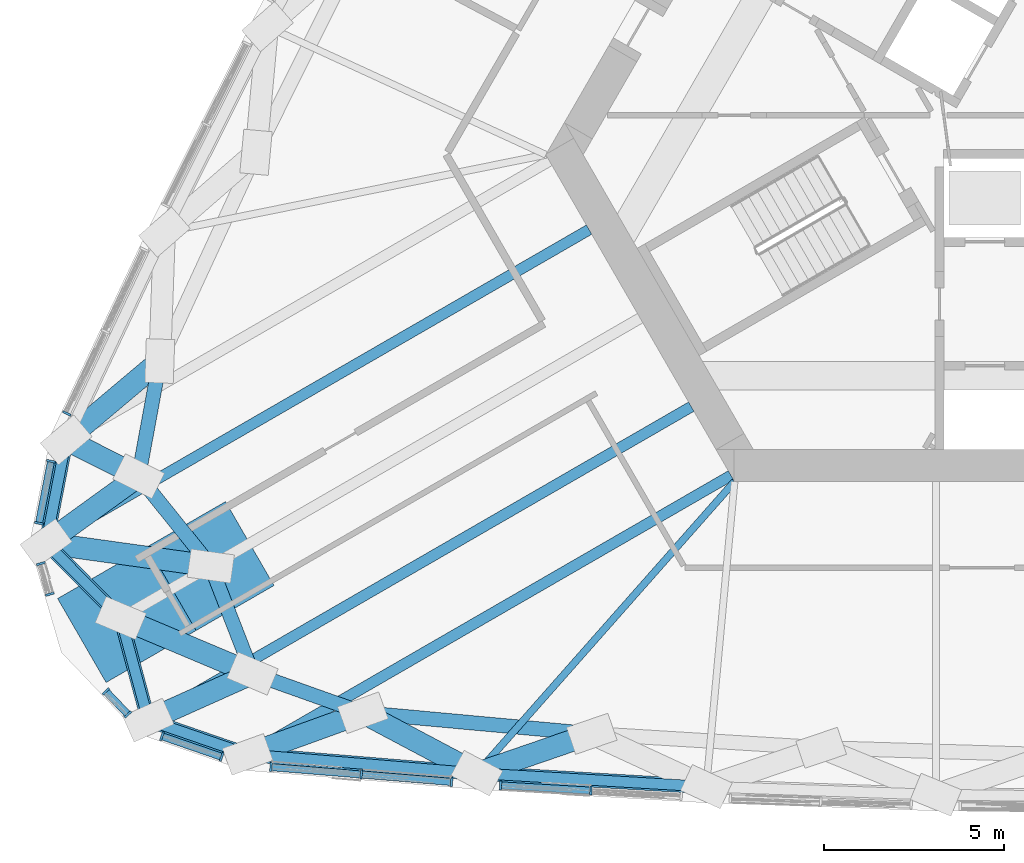
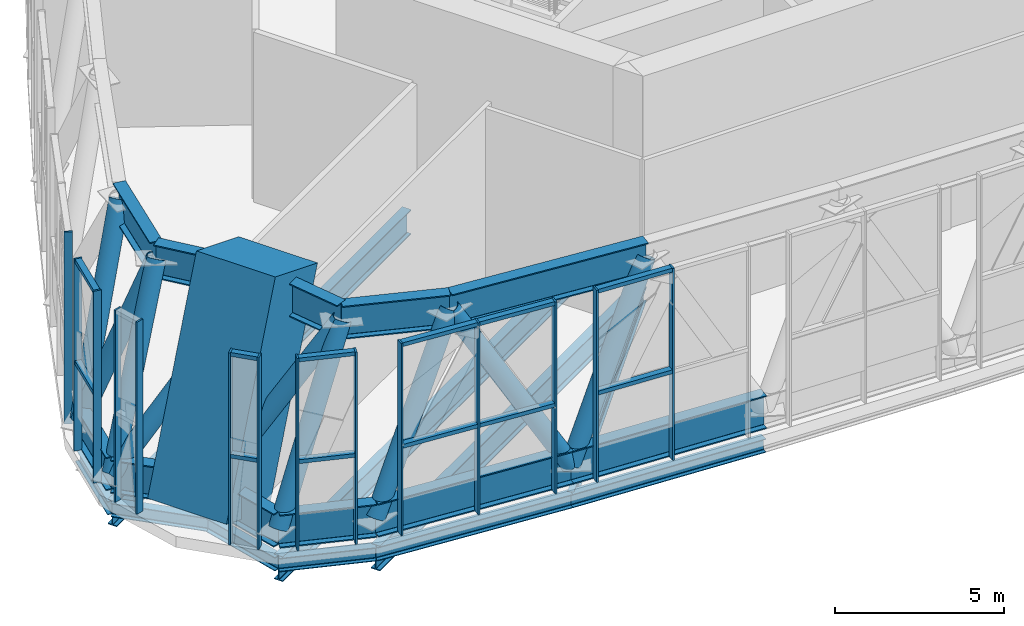
# One storey, part 1 of 33: 47 members, 10 beams, 3 elements without a shape of their own.
"""IFC4 building model written with IfcOpenShell, lengths in metres."""

import ifcopenshell
import ifcopenshell.guid

model = None  # the IFC model being written
_history = None  # IfcOwnerHistory: only IFC2X3 demands one
_inside = {}  # id of a spatial element -> (the spatial element, [elements in it])
_under = {}  # id of a project, library or spatial element -> (it, [spatial elements below it])
_declared = {}  # id of a project -> (the project, [libraries it declares])
_typed = {}  # id of a type object -> (the type object, [elements of that type])
_made_of = {}  # id of a material, layer set ... -> (it, [elements and type objects made of it])


def new_model(schema):
    """Start an empty IFC model of exactly this schema.

    Asked for "IFC4X3", IfcOpenShell would pick the latest addendum, in which some entities
    have other attributes; the version numbers below select the first issue.
    IFC2X3 requires an IfcOwnerHistory on every rooted entity: one is made here for all.
    """
    global model, _history
    if schema == "IFC4X3":
        model = ifcopenshell.file(schema_version=(4, 3, 0, 0))
    else:
        model = ifcopenshell.file(schema=schema)
    _inside.clear()
    _under.clear()
    _declared.clear()
    _typed.clear()
    _made_of.clear()
    _history = None
    if model.schema == "IFC2X3":
        org = make("IfcOrganization", Name="unknown")
        user = make(
            "IfcPersonAndOrganization",
            ThePerson=make("IfcPerson", FamilyName="unknown"),
            TheOrganization=org,
        )
        app = make(
            "IfcApplication",
            ApplicationDeveloper=org,
            Version="unknown",
            ApplicationFullName="unknown",
            ApplicationIdentifier="unknown",
        )
        _history = make(
            "IfcOwnerHistory",
            OwningUser=user,
            OwningApplication=app,
            ChangeAction="ADDED",
            CreationDate=0,
        )
    return model


def make(cls, **values):
    """One entity of the class cls with the attributes given. An attribute that is None is left unset."""
    return model.create_entity(
        cls, **{name: value for name, value in values.items() if value is not None}
    )


def rooted(cls, **values):
    """An entity with a GlobalId (a new one), such as an element, a storey or a relation."""
    return make(cls, GlobalId=ifcopenshell.guid.new(), OwnerHistory=_history, **values)


def si_unit(unit_type, name, prefix=None):
    """IfcSIUnit, for example si_unit("LENGTHUNIT", "METRE", prefix="MILLI")."""
    return make("IfcSIUnit", UnitType=unit_type, Prefix=prefix, Name=name)


def assignment(units):
    """IfcUnitAssignment: the units of a project."""
    return None if units is None else make("IfcUnitAssignment", Units=units)


def point(xyz):
    """IfcCartesianPoint."""
    return None if xyz is None else make("IfcCartesianPoint", Coordinates=xyz)


def direction(xyz):
    """IfcDirection."""
    return None if xyz is None else make("IfcDirection", DirectionRatios=xyz)


def frame(location, z_axis=None, x_axis=None):
    """IfcAxis2Placement3D, a coordinate frame: its origin and axes. An axis left out is left unset."""
    return make(
        "IfcAxis2Placement3D",
        Location=point(location),
        Axis=direction(z_axis),
        RefDirection=direction(x_axis),
    )


def frame_2d(location, x_axis=None):
    """IfcAxis2Placement2D, a coordinate frame in the plane: its origin and x axis."""
    return make(
        "IfcAxis2Placement2D", Location=point(location), RefDirection=direction(x_axis)
    )


def origin():
    """The frame at (0, 0, 0) with its axes left unset."""
    return frame((0.0, 0.0, 0.0))


def origin_2d():
    """The frame at (0, 0) in the plane with its x axis left unset."""
    return frame_2d((0.0, 0.0))


def place(relative_to, where):
    """IfcLocalPlacement: puts the frame where relative to a parent placement (None: the world)."""
    return make(
        "IfcLocalPlacement", PlacementRelTo=relative_to, RelativePlacement=where
    )


def context(
    kind, dimensions, precision=None, world=None, true_north=None, identifier=None
):
    """IfcGeometricRepresentationContext, for example the 3D "Model" context."""
    return make(
        "IfcGeometricRepresentationContext",
        ContextIdentifier=identifier,
        ContextType=kind,
        CoordinateSpaceDimension=dimensions,
        Precision=precision,
        WorldCoordinateSystem=world,
        TrueNorth=true_north,
    )


def subcontext(parent, identifier, kind, view, scale=None):
    """IfcGeometricRepresentationSubContext, for example "Body" below "Model"."""
    return make(
        "IfcGeometricRepresentationSubContext",
        ContextIdentifier=identifier,
        ContextType=kind,
        ParentContext=parent,
        TargetScale=scale,
        TargetView=view,
    )


def project(units=None, contexts=None):
    """IfcProject with its units and contexts."""
    return rooted(
        "IfcProject",
        Name="project",
        RepresentationContexts=contexts,
        UnitsInContext=assignment(units),
    )


def spatial(cls, under=None, at=None, **own):
    """A site, building, storey or space (cls), placed at a placement, below another one or the project."""
    s = rooted(cls, ObjectPlacement=at, **own)
    if under is not None:
        _under.setdefault(under.id(), (under, []))[1].append(s)
    return s


def profile(cls, at=None, kind="AREA", **sizes):
    """A parametric profile (cls). Its sizes go by their IFC names, for example OverallWidth=200.0."""
    return make(cls, ProfileType=kind, Position=at, **sizes)


def rectangle(**sizes):
    """IfcRectangleProfileDef."""
    return profile("IfcRectangleProfileDef", **sizes)


def hollow_circle(**sizes):
    """IfcCircleHollowProfileDef."""
    return profile("IfcCircleHollowProfileDef", **sizes)


def i_section(**sizes):
    """IfcIShapeProfileDef."""
    return profile("IfcIShapeProfileDef", **sizes)


def extrude(swept, where, along, depth):
    """IfcExtrudedAreaSolid: the profile swept, set in the frame where, extruded along a direction by depth."""
    return make(
        "IfcExtrudedAreaSolid",
        SweptArea=swept,
        Position=where,
        ExtrudedDirection=direction(along),
        Depth=depth,
    )


def shape(context_of_items, identifier, shape_type, items):
    """IfcShapeRepresentation: the items that make up one representation, for example the "Body"."""
    return make(
        "IfcShapeRepresentation",
        ContextOfItems=context_of_items,
        RepresentationIdentifier=identifier,
        RepresentationType=shape_type,
        Items=items,
    )


def material(Name=None, Category=None):
    """IfcMaterial."""
    return make("IfcMaterial", Name=Name, Category=Category)


def material_profile(
    of_material, cross_section, Name=None, Category=None, Priority=None
):
    """IfcMaterialProfile: a cross section and its material."""
    return make(
        "IfcMaterialProfile",
        Name=Name,
        Material=of_material,
        Profile=cross_section,
        Priority=Priority,
        Category=Category,
    )


def profile_set(profiles, Name=None, composite=None):
    """IfcMaterialProfileSet."""
    return make(
        "IfcMaterialProfileSet",
        Name=Name,
        MaterialProfiles=profiles,
        CompositeProfile=composite,
    )


def made_of(thing, what):
    """Note that an element or type object is made of a material, layer set ...; save() writes the relation."""
    if what is not None:
        _made_of.setdefault(what.id(), (what, []))[1].append(thing)
    return thing


def type_object(cls, material=None, **own):
    """A type object (cls), such as IfcWallType, which elements share."""
    return made_of(rooted(cls, **own), material)


def element(
    cls,
    number,
    at=None,
    inside=None,
    cuts=None,
    type_object=None,
    material=None,
    context=None,
    identifier="Body",
    shape_type=None,
    held_by="IfcProductDefinitionShape",
    body=None,
    shapes=None,
    **own,
):
    """One element of the class cls, such as IfcWall. Its Tag is "e" and its number.

    at: its placement. inside: the storey or other place that contains it. cuts: it is an
    opening in that element (IfcRelVoidsElement). A single representation is given by context,
    identifier, shape_type and body (its items); several are given by shapes. held_by: the class
    of the entity that holds the representations. save() writes the other relations.
    """
    e = rooted(cls, Tag="e%d" % number, ObjectPlacement=at, **own)
    if body is not None:
        shapes = [shape(context, identifier, shape_type, body)]
    if shapes is not None:
        e.Representation = make(held_by, Representations=shapes)
    if inside is not None:
        _inside.setdefault(inside.id(), (inside, []))[1].append(e)
    if cuts is not None:
        rooted(
            "IfcRelVoidsElement", RelatingBuildingElement=cuts, RelatedOpeningElement=e
        )
    if type_object is not None:
        _typed.setdefault(type_object.id(), (type_object, []))[1].append(e)
    return made_of(e, material)


def aggregate(whole, parts):
    """IfcRelAggregates: a whole, such as a stair, and the parts it consists of."""
    return rooted("IfcRelAggregates", RelatingObject=whole, RelatedObjects=parts)


def save(model, path):
    """Write the relations noted so far, then the file.

    IfcRelAggregates (storeys below a building ...), IfcRelContainedInSpatialStructure (elements
    in a storey), IfcRelDefinesByType, IfcRelAssociatesMaterial and IfcRelDeclares: one each for
    every whole, place, type object, material and project.
    """
    for whole, parts in _under.values():
        aggregate(whole, parts)
    for where, things in _inside.values():
        rooted(
            "IfcRelContainedInSpatialStructure",
            RelatedElements=things,
            RelatingStructure=where,
        )
    for kind, things in _typed.values():
        rooted("IfcRelDefinesByType", RelatedObjects=things, RelatingType=kind)
    for what, things in _made_of.values():
        rooted("IfcRelAssociatesMaterial", RelatedObjects=things, RelatingMaterial=what)
    for by, libraries in _declared.values():
        rooted("IfcRelDeclares", RelatingContext=by, RelatedDefinitions=libraries)
    model.write(path)


model = new_model("IFC4")

# Units and contexts
model_context = context("Model", 3, precision=1e-05, world=origin(), true_north=direction((0.0, 1.0)))
body_context = subcontext(model_context, "Body", "Model", "MODEL_VIEW")
ifc_project = project(units=[si_unit("LENGTHUNIT", "METRE"), si_unit("AREAUNIT", "SQUARE_METRE"), si_unit("VOLUMEUNIT", "CUBIC_METRE"), si_unit("PLANEANGLEUNIT", "RADIAN"), si_unit("MASSUNIT", "GRAM", prefix="KILO")], contexts=[model_context])

# Site, building, storey
site_placement = place(None, origin())
site = spatial("IfcSite", under=ifc_project, at=site_placement, CompositionType="ELEMENT")
building_placement = place(site_placement, origin())
building = spatial("IfcBuilding", under=site, at=building_placement, Name="Mestral Congress Tower", CompositionType="ELEMENT")
storey_placement = place(building_placement, frame((0.0, 0.0, 134.39990234375)))
storey = spatial("IfcBuildingStorey", under=building, at=storey_placement, Name="L32", CompositionType="ELEMENT", Elevation=134.39990234375)

# Members
ifc_material_1 = material(Name="Steel S355", Category="steel")
ifc_material_profile_1 = material_profile(ifc_material_1, i_section(OverallWidth=0.39990234375, OverallDepth=1.199951171875, WebThickness=0.02001953125, FlangeThickness=0.0400390625, FilletRadius=0.010009765625, at=origin_2d()), Name="WPG 1200")
ifc_profile_set_1 = profile_set([ifc_material_profile_1], Name="Steel S355")
member_type_1 = type_object("IfcMemberType", Name="Belt chord WPG 1200 S355", PredefinedType="CHORD", material=ifc_profile_set_1)
for number, where, z_axis, x_axis, name in (
    (1, (-25.562744140625, -20.59716796875, 0.60009765625), (0.996652784164, -0.081751011118, 0.0), (0.081751011118, 0.996652784164, 0.0), "MB-L32-BC2-S00"),
    (2, (-19.184326171875, -21.120361328125, 0.60009765625), (0.998290777072, -0.058442488077, 0.0), (0.058442488077, 0.998290777072, 0.0), "MB-L32-BC2-S01"),
):
    element("IfcMember", number, at=place(storey_placement, frame(where, z_axis=z_axis, x_axis=x_axis)), inside=storey, type_object=member_type_1, Name=name, PredefinedType="CHORD", context=body_context, shape_type="SweptSolid", body=[
        extrude(i_section(OverallWidth=0.39990234375, OverallDepth=1.199951171875, WebThickness=0.02001953125, FlangeThickness=0.0400390625, FilletRadius=0.010009765625, at=origin_2d()), origin(), (0.0, 0.0, 1.0), 6.39990234375),
    ])
member_1_placement = place(storey_placement, frame((-30.618896484375, -11.83935546875, 0.60009765625), z_axis=(-0.190501452066, -0.981686913818, 0.0), x_axis=(0.981686913818, -0.190501452066, 0.0)))
element("IfcMember", 3, at=member_1_placement, inside=storey, type_object=member_type_1, Name="MB-L32-BC2-W08", PredefinedType="CHORD", context=body_context, shape_type="SweptSolid", body=[
    extrude(i_section(OverallWidth=0.39990234375, OverallDepth=1.199951171875, WebThickness=0.02001953125, FlangeThickness=0.0400390625, FilletRadius=0.010009765625, at=origin_2d()), origin(), (0.0, 0.0, 1.0), 2.928466796875),
])
member_2_placement = place(storey_placement, frame((-31.1767578125, -14.714111328125, 0.60009765625), z_axis=(0.706152774218, -0.708059502771, 0.0), x_axis=(0.708059502771, 0.706152774218, 0.0)))
element("IfcMember", 4, at=member_2_placement, inside=storey, type_object=member_type_1, Name="MB-L32-BC2-SW1", PredefinedType="CHORD", context=body_context, shape_type="SweptSolid", body=[
    extrude(i_section(OverallWidth=0.39990234375, OverallDepth=1.199951171875, WebThickness=0.02001953125, FlangeThickness=0.0400390625, FilletRadius=0.010009765625, at=origin_2d()), origin(), (0.0, 0.0, 1.0), 2.945068359375),
])
member_3_placement = place(storey_placement, frame((-29.09716796875, -16.79931640625, 0.60009765625), z_axis=(0.260071585357, -0.96558933843, 0.0), x_axis=(0.96558933843, 0.260071585357, 0.0)))
element("IfcMember", 5, at=member_3_placement, inside=storey, type_object=member_type_1, Name="MB-L32-BC2-SW", PredefinedType="CHORD", context=body_context, shape_type="SweptSolid", body=[
    extrude(i_section(OverallWidth=0.39990234375, OverallDepth=1.199951171875, WebThickness=0.02001953125, FlangeThickness=0.0400390625, FilletRadius=0.010009765625, at=origin_2d()), origin(), (0.0, 0.0, 1.0), 2.94482421875),
])
member_4_placement = place(storey_placement, frame((-28.331298828125, -19.642822265625, 0.60009765625), z_axis=(0.945407528936, -0.32589047889, 0.0), x_axis=(0.32589047889, 0.945407528936, 0.0)))
element("IfcMember", 6, at=member_4_placement, inside=storey, type_object=member_type_1, Name="MB-L32-BC2-SW3", PredefinedType="CHORD", context=body_context, shape_type="SweptSolid", body=[
    extrude(i_section(OverallWidth=0.39990234375, OverallDepth=1.199951171875, WebThickness=0.02001953125, FlangeThickness=0.0400390625, FilletRadius=0.010009765625, at=origin_2d()), origin(), (0.0, 0.0, 1.0), 2.928466796875),
])
member_5_placement = place(storey_placement, frame((-22.357421875, -19.437255859375, 6.35009765625), z_axis=(0.995810239959, -0.09144378597, 0.0), x_axis=(0.09144378597, 0.995810239959, 0.0)))
element("IfcMember", 7, at=member_5_placement, inside=storey, type_object=member_type_1, Name="MB-L32-TC2-S00", PredefinedType="CHORD", context=body_context, shape_type="SweptSolid", body=[
    extrude(i_section(OverallWidth=0.39990234375, OverallDepth=1.199951171875, WebThickness=0.02001953125, FlangeThickness=0.0400390625, FilletRadius=0.010009765625, at=origin_2d()), origin(), (0.0, 0.0, 1.0), 6.399658203125),
])
member_6_placement = place(storey_placement, frame((-28.01171875, -9.6435546875, 6.35009765625), z_axis=(-0.180729856011, -0.983532774821, 0.0), x_axis=(0.983532774821, -0.180729856011, 0.0)))
element("IfcMember", 8, at=member_6_placement, inside=storey, type_object=member_type_1, Name="MB-L32-TC2-W07", PredefinedType="CHORD", context=body_context, shape_type="SweptSolid", body=[
    extrude(i_section(OverallWidth=0.39990234375, OverallDepth=1.199951171875, WebThickness=0.02001953125, FlangeThickness=0.0400390625, FilletRadius=0.010009765625, at=origin_2d()), origin(), (0.0, 0.0, 1.0), 3.260986328125),
])
for number, where, z_axis, x_axis, name in (
    (9, (-28.60107421875, -12.850830078125, 6.35009765625), (0.626502543472, -0.779419375576, 0.0), (0.779419375576, 0.626502543472, 0.0), "MB-L32-TC2-SW1"),
    (10, (-26.590576171875, -15.35205078125, 6.35009765625), (0.361755943135, -0.932272834317, 0.0), (0.932272834317, 0.361755943135, 0.0), "MB-L32-TC2-SW"),
):
    element("IfcMember", number, at=place(storey_placement, frame(where, z_axis=z_axis, x_axis=x_axis)), inside=storey, type_object=member_type_1, Name=name, PredefinedType="CHORD", context=body_context, shape_type="SweptSolid", body=[
        extrude(i_section(OverallWidth=0.39990234375, OverallDepth=1.199951171875, WebThickness=0.02001953125, FlangeThickness=0.0400390625, FilletRadius=0.010009765625, at=origin_2d()), origin(), (0.0, 0.0, 1.0), 3.208984375),
    ])
member_7_placement = place(storey_placement, frame((-25.4296875, -18.34375, 6.35009765625), z_axis=(0.942103834289, -0.335321286855, 0.0), x_axis=(0.335321286855, 0.942103834289, 0.0)))
element("IfcMember", 11, at=member_7_placement, inside=storey, type_object=member_type_1, Name="MB-L32-TC2-SW3", PredefinedType="CHORD", context=body_context, shape_type="SweptSolid", body=[
    extrude(i_section(OverallWidth=0.39990234375, OverallDepth=1.199951171875, WebThickness=0.02001953125, FlangeThickness=0.0400390625, FilletRadius=0.010009765625, at=origin_2d()), origin(), (0.0, 0.0, 1.0), 3.260986328125),
])
ifc_material_profile_2 = material_profile(ifc_material_1, hollow_circle(Radius=0.304931640625, WallThickness=0.02490234375, at=origin_2d()), Name="CHS 610x25")
ifc_profile_set_2 = profile_set([ifc_material_profile_2], Name="Steel S355")
member_type_2 = type_object("IfcMemberType", Name="Belt diagonal CHS 610x25 S355", PredefinedType="BRACE", material=ifc_profile_set_2)
member_8_placement = place(storey_placement, frame((-25.562744140625, -20.59716796875, 0.60009765625), z_axis=(0.479518604565, 0.173523717746, 0.860204293907), x_axis=(-0.340276225372, 0.94032552366, 0.0)))
element("IfcMember", 12, at=member_8_placement, inside=storey, type_object=member_type_2, Name="MD-L32-BD2-S00.S00", PredefinedType="BRACE", context=body_context, shape_type="SweptSolid", body=[
    extrude(hollow_circle(Radius=0.304931640625, WallThickness=0.02490234375, at=origin_2d()), origin(), (0.0, 0.0, 1.0), 6.6845703125),
])
member_9_placement = place(storey_placement, frame((-19.184326171875, -21.120361328125, 0.60009765625), z_axis=(-0.468031224917, 0.248257849087, 0.848124290932), x_axis=(-0.468590242966, -0.88341563502, 0.0)))
element("IfcMember", 13, at=member_9_placement, inside=storey, type_object=member_type_2, Name="MD-L32-BD2-S01.S00", PredefinedType="BRACE", context=body_context, shape_type="SweptSolid", body=[
    extrude(hollow_circle(Radius=0.304931640625, WallThickness=0.02490234375, at=origin_2d()), origin(), (0.0, 0.0, 1.0), 6.77978515625),
])
member_10_placement = place(storey_placement, frame((-19.184326171875, -21.120361328125, 0.60009765625), z_axis=(0.479623974182, 0.164571113375, 0.861903238207), x_axis=(-0.324551264958, 0.945868107304, 0.0)))
element("IfcMember", 14, at=member_10_placement, inside=storey, type_object=member_type_2, Name="MD-L32-BD2-S01.S01", PredefinedType="BRACE", context=body_context, shape_type="SweptSolid", body=[
    extrude(hollow_circle(Radius=0.304931640625, WallThickness=0.02490234375, at=origin_2d()), origin(), (0.0, 0.0, 1.0), 6.67138671875),
])
member_11_placement = place(storey_placement, frame((-30.618896484375, -11.83935546875, 0.60009765625), z_axis=(0.390038224364, 0.328495532346, 0.860209781835), x_axis=(-0.644184267565, 0.764870335038, 0.0)))
element("IfcMember", 15, at=member_11_placement, inside=storey, type_object=member_type_2, Name="MD-L32-BD2-W08.W07", PredefinedType="BRACE", context=body_context, shape_type="SweptSolid", body=[
    extrude(hollow_circle(Radius=0.304931640625, WallThickness=0.02490234375, at=origin_2d()), origin(), (0.0, 0.0, 1.0), 6.684326171875),
])
member_12_placement = place(storey_placement, frame((-30.618896484375, -11.83935546875, 0.60009765625), z_axis=(0.326659077616, -0.163744532192, 0.930849920873), x_axis=(0.448121939296, 0.89397244226, 0.0)))
element("IfcMember", 16, at=member_12_placement, inside=storey, type_object=member_type_2, Name="MD-L32-BD2-W08.SW1", PredefinedType="BRACE", context=body_context, shape_type="SweptSolid", body=[
    extrude(hollow_circle(Radius=0.304931640625, WallThickness=0.02490234375, at=origin_2d()), origin(), (0.0, 0.0, 1.0), 6.17724609375),
])
member_13_placement = place(storey_placement, frame((-31.1767578125, -14.714111328125, 0.60009765625), z_axis=(0.392020897575, 0.283592747895, 0.875154140255), x_axis=(-0.586124077179, 0.810221306898, 0.0)))
element("IfcMember", 17, at=member_13_placement, inside=storey, type_object=member_type_2, Name="MD-L32-BD2-SW1.SW1", PredefinedType="BRACE", context=body_context, shape_type="SweptSolid", body=[
    extrude(hollow_circle(Radius=0.304931640625, WallThickness=0.02490234375, at=origin_2d()), origin(), (0.0, 0.0, 1.0), 6.5703125),
])
member_14_placement = place(storey_placement, frame((-31.1767578125, -14.714111328125, 0.60009765625), z_axis=(0.621216417801, -0.08641141867, 0.778860211448), x_axis=(0.137773845255, 0.990463713401, 0.0)))
element("IfcMember", 18, at=member_14_placement, inside=storey, type_object=member_type_2, Name="MD-L32-BD2-SW1.SW", PredefinedType="BRACE", context=body_context, shape_type="SweptSolid", body=[
    extrude(hollow_circle(Radius=0.304931640625, WallThickness=0.02490234375, at=origin_2d()), origin(), (0.0, 0.0, 1.0), 7.382568359375),
])
member_15_placement = place(storey_placement, frame((-29.09716796875, -16.79931640625, 0.60009765625), z_axis=(0.524470935751, -0.220862943653, 0.822283283105), x_axis=(0.388106369005, 0.921614586656, 0.0)))
element("IfcMember", 19, at=member_15_placement, inside=storey, type_object=member_type_2, Name="MD-L32-BD2-SW.SW3", PredefinedType="BRACE", context=body_context, shape_type="SweptSolid", body=[
    extrude(hollow_circle(Radius=0.304931640625, WallThickness=0.02490234375, at=origin_2d()), origin(), (0.0, 0.0, 1.0), 6.99267578125),
])
member_16_placement = place(storey_placement, frame((-28.331298828125, -19.642822265625, 0.60009765625), z_axis=(0.441622351044, 0.197717503568, 0.875144266873), x_axis=(-0.408623679905, 0.912702957276, 0.0)))
element("IfcMember", 20, at=member_16_placement, inside=storey, type_object=member_type_2, Name="MD-L32-BD2-SW3.SW3", PredefinedType="BRACE", context=body_context, shape_type="SweptSolid", body=[
    extrude(hollow_circle(Radius=0.304931640625, WallThickness=0.02490234375, at=origin_2d()), origin(), (0.0, 0.0, 1.0), 6.5703125),
])

# Curtain wall, members
ifc_material_2 = material(Name="Clear low-emissivity double glazing", Category="glass")
curtain_wall_type = type_object("IfcCurtainWallType", Name="Facade sky lobby curtain wall", PredefinedType="USERDEFINED", material=ifc_material_2)
placement = place(storey_placement, origin())
curtain_wall_1 = element("IfcCurtainWall", 21, at=placement, inside=storey, type_object=curtain_wall_type, Name="Facade sky lobby curtain wall face 1", ObjectType="CURTAIN WALL", PredefinedType="USERDEFINED")
ifc_material_3 = material(Name="Anodised aluminium", Category="aluminium")
ifc_material_profile_3 = material_profile(ifc_material_3, rectangle(XDim=0.25, YDim=0.06005859375, at=origin_2d()), Name="CW1 mullion 250 x 60")
ifc_profile_set_3 = profile_set([ifc_material_profile_3], Name="Anodised aluminium")
member_type_3 = type_object("IfcMemberType", Name="Facade sky lobby curtain wall mullion", PredefinedType="MULLION", material=ifc_profile_set_3)
member_17_placement = place(storey_placement, frame((-24.916015625, -20.951171875, 0.0), z_axis=(0.0, 0.0, 1.0), x_axis=(-0.081757603401, -0.996652243406, 0.0)))
member_17 = element("IfcMember", 22, at=member_17_placement, type_object=member_type_3, Name="Facade sky lobby curtain wall mullion", PredefinedType="MULLION", context=body_context, shape_type="SweptSolid", body=[
    extrude(rectangle(XDim=0.25, YDim=0.06005859375, at=origin_2d()), origin(), (0.0, 0.0, 1.0), 6.9501953125),
])
member_18_placement = place(storey_placement, frame((-22.401123046875, -21.157470703125, 0.0), z_axis=(0.0, 0.0, 1.0), x_axis=(-0.081757603401, -0.996652243406, 0.0)))
member_18 = element("IfcMember", 23, at=member_18_placement, type_object=member_type_3, Name="Facade sky lobby curtain wall mullion", PredefinedType="MULLION", context=body_context, shape_type="SweptSolid", body=[
    extrude(rectangle(XDim=0.25, YDim=0.06005859375, at=origin_2d()), origin(), (0.0, 0.0, 1.0), 6.9501953125),
])
member_19_placement = place(storey_placement, frame((-19.88623046875, -21.36376953125, 0.0), z_axis=(0.0, 0.0, 1.0), x_axis=(-0.081757603401, -0.996652243406, 0.0)))
member_19 = element("IfcMember", 24, at=member_19_placement, type_object=member_type_3, Name="Facade sky lobby curtain wall mullion", PredefinedType="MULLION", context=body_context, shape_type="SweptSolid", body=[
    extrude(rectangle(XDim=0.25, YDim=0.06005859375, at=origin_2d()), origin(), (0.0, 0.0, 1.0), 6.9501953125),
])
member_20_placement = place(storey_placement, frame((-18.523193359375, -21.459716796875, 0.0), z_axis=(0.0, 0.0, 1.0), x_axis=(-0.058436964865, -0.9982911004, 0.0)))
member_20 = element("IfcMember", 25, at=member_20_placement, type_object=member_type_3, Name="Facade sky lobby curtain wall mullion", PredefinedType="MULLION", context=body_context, shape_type="SweptSolid", body=[
    extrude(rectangle(XDim=0.25, YDim=0.06005859375, at=origin_2d()), origin(), (0.0, 0.0, 1.0), 6.9501953125),
])
member_21_placement = place(storey_placement, frame((-16.00732421875, -21.60693359375, 0.0), z_axis=(0.0, 0.0, 1.0), x_axis=(-0.058436964865, -0.9982911004, 0.0)))
member_21 = element("IfcMember", 26, at=member_21_placement, type_object=member_type_3, Name="Facade sky lobby curtain wall mullion", PredefinedType="MULLION", context=body_context, shape_type="SweptSolid", body=[
    extrude(rectangle(XDim=0.25, YDim=0.06005859375, at=origin_2d()), origin(), (0.0, 0.0, 1.0), 6.9501953125),
])

# Curtain wall, member
curtain_wall_2 = element("IfcCurtainWall", 27, at=placement, inside=storey, type_object=curtain_wall_type, Name="Facade sky lobby curtain wall face 3", ObjectType="CURTAIN WALL", PredefinedType="USERDEFINED")
member_22_placement = place(storey_placement, frame((-30.602294921875, -11.102294921875, 0.0), z_axis=(0.0, 0.0, 1.0), x_axis=(-0.904005709394, 0.427520382418, 0.0)))
member_22 = element("IfcMember", 28, at=member_22_placement, type_object=member_type_3, Name="Facade sky lobby curtain wall mullion", PredefinedType="MULLION", context=body_context, shape_type="SweptSolid", body=[
    extrude(rectangle(XDim=0.25, YDim=0.06005859375, at=origin_2d()), origin(), (0.0, 0.0, 1.0), 6.9501953125),
])
aggregate(curtain_wall_2, [member_22])

# Curtain wall, members
curtain_wall_3 = element("IfcCurtainWall", 29, at=placement, inside=storey, type_object=curtain_wall_type, Name="Facade sky lobby curtain wall corner 3", ObjectType="CURTAIN WALL", PredefinedType="USERDEFINED")
member_23_placement = place(storey_placement, frame((-31.039794921875, -12.43359375, 0.0), z_axis=(0.0, 0.0, 1.0), x_axis=(-0.981691733934, 0.190476611493, 0.0)))
member_23 = element("IfcMember", 30, at=member_23_placement, type_object=member_type_3, Name="Facade sky lobby curtain wall mullion", PredefinedType="MULLION", context=body_context, shape_type="SweptSolid", body=[
    extrude(rectangle(XDim=0.25, YDim=0.06005859375, at=origin_2d()), origin(), (0.0, 0.0, 1.0), 6.9501953125),
])
member_24_placement = place(storey_placement, frame((-31.375, -14.16064453125, 0.0), z_axis=(0.0, 0.0, 1.0), x_axis=(-0.981691733934, 0.190476611493, 0.0)))
member_24 = element("IfcMember", 31, at=member_24_placement, type_object=member_type_3, Name="Facade sky lobby curtain wall mullion", PredefinedType="MULLION", context=body_context, shape_type="SweptSolid", body=[
    extrude(rectangle(XDim=0.25, YDim=0.06005859375, at=origin_2d()), origin(), (0.0, 0.0, 1.0), 6.9501953125),
])
member_25_placement = place(storey_placement, frame((-31.322509765625, -15.28369140625, 0.0), z_axis=(0.0, 0.0, 1.0), x_axis=(-0.959609115766, -0.281336710971, 0.0)))
member_25 = element("IfcMember", 32, at=member_25_placement, type_object=member_type_3, Name="Facade sky lobby curtain wall mullion", PredefinedType="MULLION", context=body_context, shape_type="SweptSolid", body=[
    extrude(rectangle(XDim=0.25, YDim=0.06005859375, at=origin_2d()), origin(), (0.0, 0.0, 1.0), 6.9501953125),
])
member_26_placement = place(storey_placement, frame((-31.072998046875, -16.135009765625, 0.0), z_axis=(0.0, 0.0, 1.0), x_axis=(-0.959609115766, -0.281336710971, 0.0)))
member_26 = element("IfcMember", 33, at=member_26_placement, type_object=member_type_3, Name="Facade sky lobby curtain wall mullion", PredefinedType="MULLION", context=body_context, shape_type="SweptSolid", body=[
    extrude(rectangle(XDim=0.25, YDim=0.06005859375, at=origin_2d()), origin(), (0.0, 0.0, 1.0), 6.9501953125),
])
member_27_placement = place(storey_placement, frame((-29.509765625, -18.84228515625, 0.0), z_axis=(0.0, 0.0, 1.0), x_axis=(-0.723451706468, -0.690374991152, 0.0)))
member_27 = element("IfcMember", 34, at=member_27_placement, type_object=member_type_3, Name="Facade sky lobby curtain wall mullion", PredefinedType="MULLION", context=body_context, shape_type="SweptSolid", body=[
    extrude(rectangle(XDim=0.25, YDim=0.06005859375, at=origin_2d()), origin(), (0.0, 0.0, 1.0), 6.9501953125),
])
member_28_placement = place(storey_placement, frame((-28.8974609375, -19.484130859375, 0.0), z_axis=(0.0, 0.0, 1.0), x_axis=(-0.723451706468, -0.690374991152, 0.0)))
member_28 = element("IfcMember", 35, at=member_28_placement, type_object=member_type_3, Name="Facade sky lobby curtain wall mullion", PredefinedType="MULLION", context=body_context, shape_type="SweptSolid", body=[
    extrude(rectangle(XDim=0.25, YDim=0.06005859375, at=origin_2d()), origin(), (0.0, 0.0, 1.0), 6.9501953125),
])
member_29_placement = place(storey_placement, frame((-27.950927734375, -20.09130859375, 0.0), z_axis=(0.0, 0.0, 1.0), x_axis=(-0.325886632538, -0.9454088548, 0.0)))
member_29 = element("IfcMember", 36, at=member_29_placement, type_object=member_type_3, Name="Facade sky lobby curtain wall mullion", PredefinedType="MULLION", context=body_context, shape_type="SweptSolid", body=[
    extrude(rectangle(XDim=0.25, YDim=0.06005859375, at=origin_2d()), origin(), (0.0, 0.0, 1.0), 6.9501953125),
])
member_30_placement = place(storey_placement, frame((-26.28759765625, -20.66455078125, 0.0), z_axis=(0.0, 0.0, 1.0), x_axis=(-0.325886632538, -0.9454088548, 0.0)))
member_30 = element("IfcMember", 37, at=member_30_placement, type_object=member_type_3, Name="Facade sky lobby curtain wall mullion", PredefinedType="MULLION", context=body_context, shape_type="SweptSolid", body=[
    extrude(rectangle(XDim=0.25, YDim=0.06005859375, at=origin_2d()), origin(), (0.0, 0.0, 1.0), 6.9501953125),
])

# Member
ifc_material_profile_4 = material_profile(ifc_material_3, rectangle(XDim=0.199951171875, YDim=0.139892578125, at=origin_2d()), Name="CW1 transom 200 x 140")
ifc_profile_set_4 = profile_set([ifc_material_profile_4], Name="Anodised aluminium")
member_type_4 = type_object("IfcMemberType", Name="Facade sky lobby curtain wall transom", PredefinedType="USERDEFINED", material=ifc_profile_set_4)
member_31_placement = place(storey_placement, frame((-24.88623046875, -20.95361328125, 3.2001953125), z_axis=(0.996651565628, -0.081765865319, 0.0), x_axis=(0.081765865319, 0.996651565628, 0.0)))
member_31 = element("IfcMember", 38, at=member_31_placement, type_object=member_type_4, Name="Facade sky lobby curtain wall transom", ObjectType="TRANSOM", PredefinedType="USERDEFINED", context=body_context, shape_type="SweptSolid", body=[
    extrude(rectangle(XDim=0.199951171875, YDim=0.139892578125, at=origin_2d()), origin(), (0.0, 0.0, 1.0), 2.46337890625),
])

member_32_placement = place(storey_placement, frame((-24.88623046875, -20.95361328125, 6.880126953125), z_axis=(0.996651565628, -0.081765865319, 0.0), x_axis=(0.081765865319, 0.996651565628, 0.0)))
member_32 = element("IfcMember", 39, at=member_32_placement, type_object=member_type_4, Name="Facade sky lobby curtain wall transom", ObjectType="TRANSOM", PredefinedType="USERDEFINED", context=body_context, shape_type="SweptSolid", body=[
    extrude(rectangle(XDim=0.199951171875, YDim=0.139892578125, at=origin_2d()), origin(), (0.0, 0.0, 1.0), 2.46337890625),
])

member_33_placement = place(storey_placement, frame((-22.371337890625, -21.159912109375, 3.2001953125), z_axis=(0.996652228146, -0.081757789422, 0.0), x_axis=(0.081757789422, 0.996652228146, 0.0)))
member_33 = element("IfcMember", 40, at=member_33_placement, type_object=member_type_4, Name="Facade sky lobby curtain wall transom", ObjectType="TRANSOM", PredefinedType="USERDEFINED", context=body_context, shape_type="SweptSolid", body=[
    extrude(rectangle(XDim=0.199951171875, YDim=0.139892578125, at=origin_2d()), origin(), (0.0, 0.0, 1.0), 2.463623046875),
])

member_34_placement = place(storey_placement, frame((-22.371337890625, -21.159912109375, 6.880126953125), z_axis=(0.996652228146, -0.081757789422, 0.0), x_axis=(0.081757789422, 0.996652228146, 0.0)))
member_34 = element("IfcMember", 41, at=member_34_placement, type_object=member_type_4, Name="Facade sky lobby curtain wall transom", ObjectType="TRANSOM", PredefinedType="USERDEFINED", context=body_context, shape_type="SweptSolid", body=[
    extrude(rectangle(XDim=0.199951171875, YDim=0.139892578125, at=origin_2d()), origin(), (0.0, 0.0, 1.0), 2.463623046875),
])

member_35_placement = place(storey_placement, frame((-18.493408203125, -21.461181640625, 3.2001953125), z_axis=(0.998290418428, -0.058448613962, 0.0), x_axis=(0.058448613962, 0.998290418428, 0.0)))
member_35 = element("IfcMember", 42, at=member_35_placement, type_object=member_type_4, Name="Facade sky lobby curtain wall transom", ObjectType="TRANSOM", PredefinedType="USERDEFINED", context=body_context, shape_type="SweptSolid", body=[
    extrude(rectangle(XDim=0.199951171875, YDim=0.139892578125, at=origin_2d()), origin(), (0.0, 0.0, 1.0), 2.460205078125),
])

member_36_placement = place(storey_placement, frame((-18.493408203125, -21.461181640625, 6.880126953125), z_axis=(0.998290418428, -0.058448613962, 0.0), x_axis=(0.058448613962, 0.998290418428, 0.0)))
member_36 = element("IfcMember", 43, at=member_36_placement, type_object=member_type_4, Name="Facade sky lobby curtain wall transom", ObjectType="TRANSOM", PredefinedType="USERDEFINED", context=body_context, shape_type="SweptSolid", body=[
    extrude(rectangle(XDim=0.199951171875, YDim=0.139892578125, at=origin_2d()), origin(), (0.0, 0.0, 1.0), 2.460205078125),
])

aggregate(curtain_wall_1, [member_17, member_18, member_19, member_31, member_32, member_33, member_34, member_20, member_21, member_35, member_36])

member_37_placement = place(storey_placement, frame((-31.045654296875, -12.462890625, 3.2001953125), z_axis=(-0.190504332861, -0.98168635478, 0.0), x_axis=(0.98168635478, -0.190504332861, 0.0)))
member_37 = element("IfcMember", 44, at=member_37_placement, type_object=member_type_4, Name="Facade sky lobby curtain wall transom", ObjectType="TRANSOM", PredefinedType="USERDEFINED", context=body_context, shape_type="SweptSolid", body=[
    extrude(rectangle(XDim=0.199951171875, YDim=0.139892578125, at=origin_2d()), origin(), (0.0, 0.0, 1.0), 1.69921875),
])

member_38_placement = place(storey_placement, frame((-31.045654296875, -12.462890625, 6.880126953125), z_axis=(-0.190504332861, -0.98168635478, 0.0), x_axis=(0.98168635478, -0.190504332861, 0.0)))
member_38 = element("IfcMember", 45, at=member_38_placement, type_object=member_type_4, Name="Facade sky lobby curtain wall transom", ObjectType="TRANSOM", PredefinedType="USERDEFINED", context=body_context, shape_type="SweptSolid", body=[
    extrude(rectangle(XDim=0.199951171875, YDim=0.139892578125, at=origin_2d()), origin(), (0.0, 0.0, 1.0), 1.69921875),
])

member_39_placement = place(storey_placement, frame((-29.489013671875, -18.864013671875, 3.2001953125), z_axis=(0.69022995414, -0.723590084515, 0.0), x_axis=(0.723590084515, 0.69022995414, 0.0)))
member_39 = element("IfcMember", 46, at=member_39_placement, type_object=member_type_4, Name="Facade sky lobby curtain wall transom", ObjectType="TRANSOM", PredefinedType="USERDEFINED", context=body_context, shape_type="SweptSolid", body=[
    extrude(rectangle(XDim=0.199951171875, YDim=0.139892578125, at=origin_2d()), origin(), (0.0, 0.0, 1.0), 0.826904296875),
])

member_40_placement = place(storey_placement, frame((-29.489013671875, -18.864013671875, 6.880126953125), z_axis=(0.69022995414, -0.723590084515, 0.0), x_axis=(0.723590084515, 0.69022995414, 0.0)))
member_40 = element("IfcMember", 47, at=member_40_placement, type_object=member_type_4, Name="Facade sky lobby curtain wall transom", ObjectType="TRANSOM", PredefinedType="USERDEFINED", context=body_context, shape_type="SweptSolid", body=[
    extrude(rectangle(XDim=0.199951171875, YDim=0.139892578125, at=origin_2d()), origin(), (0.0, 0.0, 1.0), 0.826904296875),
])

member_41_placement = place(storey_placement, frame((-27.922607421875, -20.10107421875, 3.2001953125), z_axis=(0.945415726372, -0.325866697175, 0.0), x_axis=(0.325866697175, 0.945415726372, 0.0)))
member_41 = element("IfcMember", 48, at=member_41_placement, type_object=member_type_4, Name="Facade sky lobby curtain wall transom", ObjectType="TRANSOM", PredefinedType="USERDEFINED", context=body_context, shape_type="SweptSolid", body=[
    extrude(rectangle(XDim=0.199951171875, YDim=0.139892578125, at=origin_2d()), origin(), (0.0, 0.0, 1.0), 1.69921875),
])

member_42_placement = place(storey_placement, frame((-27.922607421875, -20.10107421875, 6.880126953125), z_axis=(0.945415726372, -0.325866697175, 0.0), x_axis=(0.325866697175, 0.945415726372, 0.0)))
member_42 = element("IfcMember", 49, at=member_42_placement, type_object=member_type_4, Name="Facade sky lobby curtain wall transom", ObjectType="TRANSOM", PredefinedType="USERDEFINED", context=body_context, shape_type="SweptSolid", body=[
    extrude(rectangle(XDim=0.199951171875, YDim=0.139892578125, at=origin_2d()), origin(), (0.0, 0.0, 1.0), 1.69921875),
])

aggregate(curtain_wall_3, [member_23, member_24, member_37, member_38, member_25, member_26, member_27, member_28, member_39, member_40, member_29, member_30, member_41, member_42])

# Beams
ifc_material_profile_5 = material_profile(ifc_material_1, i_section(OverallWidth=0.300048828125, OverallDepth=0.89990234375, WebThickness=0.0185546875, FlangeThickness=0.034912109375, FilletRadius=0.030029296875, at=origin_2d()), Name="HEB 900")
ifc_profile_set_5 = profile_set([ifc_material_profile_5], Name="Steel S355")
beam_type_1 = type_object("IfcBeamType", Name="Floor beam HEB 900 S355", PredefinedType="BEAM", material=ifc_profile_set_5)
beam_1_placement = place(storey_placement, frame((-25.562744140625, -20.59716796875, -0.849853515625), z_axis=(0.866024914115, 0.500000848131, 0.0), x_axis=(-0.500000848131, 0.866024914115, 0.0)))
element("IfcBeam", 50, at=beam_1_placement, inside=storey, type_object=beam_type_1, Name="BM-L32-RB2-S00", PredefinedType="BEAM", context=body_context, shape_type="SweptSolid", body=[
    extrude(i_section(OverallWidth=0.300048828125, OverallDepth=0.89990234375, WebThickness=0.0185546875, FlangeThickness=0.034912109375, FilletRadius=0.030029296875, at=origin_2d()), origin(), (0.0, 0.0, 1.0), 15.53662109375),
])
for number, where, z_axis, x_axis, name in (
    (51, (-31.1767578125, -14.714111328125, -0.849853515625), (0.866024423162, 0.500001698484, 0.0), (-0.500001698484, 0.866024423162, 0.0), "BM-L32-RB2-SW1"),
    (52, (-28.331298828125, -19.642822265625, -0.849853515625), (0.866024423162, 0.500001698484, 0.0), (-0.500001698484, 0.866024423162, 0.0), "BM-L32-RB2-SW3"),
):
    element("IfcBeam", number, at=place(storey_placement, frame(where, z_axis=z_axis, x_axis=x_axis)), inside=storey, type_object=beam_type_1, Name=name, PredefinedType="BEAM", context=body_context, shape_type="SweptSolid", body=[
        extrude(i_section(OverallWidth=0.300048828125, OverallDepth=0.89990234375, WebThickness=0.0185546875, FlangeThickness=0.034912109375, FilletRadius=0.030029296875, at=origin_2d()), origin(), (0.0, 0.0, 1.0), 17.45703125),
    ])
ifc_material_profile_6 = material_profile(ifc_material_1, i_section(OverallWidth=0.199951171875, OverallDepth=0.5, WebThickness=0.01025390625, FlangeThickness=0.01611328125, FilletRadius=0.02099609375, at=origin_2d()), Name="IPE 500")
ifc_profile_set_6 = profile_set([ifc_material_profile_6], Name="Steel S355")
beam_type_2 = type_object("IfcBeamType", Name="Floor beam IPE 500 S355", PredefinedType="BEAM", material=ifc_profile_set_6)
beam_2_placement = place(storey_placement, frame((-19.184326171875, -21.120361328125, -0.64990234375), z_axis=(0.662166905822, 0.749356383061, 0.0), x_axis=(-0.749356383061, 0.662166905822, 0.0)))
element("IfcBeam", 53, at=beam_2_placement, inside=storey, type_object=beam_type_2, Name="BM-L32-RB2-S01", PredefinedType="BEAM", context=body_context, shape_type="SweptSolid", body=[
    extrude(i_section(OverallWidth=0.199951171875, OverallDepth=0.5, WebThickness=0.01025390625, FlangeThickness=0.01611328125, FilletRadius=0.02099609375, at=origin_2d()), origin(), (0.0, 0.0, 1.0), 10.83642578125),
])

# Member
ifc_material_4 = material(Name="Concrete C70/85", Category="concrete")
ifc_material_profile_7 = material_profile(ifc_material_4, rectangle(XDim=2.699951171875, YDim=2.699951171875, at=origin_2d()), Name="RC 2700x2700")
ifc_profile_set_7 = profile_set([ifc_material_profile_7], Name="Concrete C70/85")
member_type_5 = type_object("IfcMemberType", Name="Pylon shift strut RC 2700x2700 C70/85", PredefinedType="STRUT", material=ifc_profile_set_7)
member_43_placement = place(storey_placement, frame((-29.09716796875, -16.79931640625, 0.0), z_axis=(0.323006916715, 0.186498977529, 0.927838705344), x_axis=(-0.500021811663, 0.866012810449, 0.0)))
element("IfcMember", 54, at=member_43_placement, inside=storey, type_object=member_type_5, Name="MS-L32-PS2-SW", PredefinedType="STRUT", context=body_context, shape_type="SweptSolid", body=[
    extrude(rectangle(XDim=2.699951171875, YDim=2.699951171875, at=origin_2d()), origin(), (0.0, 0.0, 1.0), 7.76025390625),
])

# Beams
ifc_material_profile_8 = material_profile(ifc_material_1, i_section(OverallWidth=0.300048828125, OverallDepth=0.489990234375, WebThickness=0.011962890625, FlangeThickness=0.02294921875, FilletRadius=0.027099609375, at=origin_2d()), Name="HEA 500")
ifc_profile_set_8 = profile_set([ifc_material_profile_8], Name="Steel S355")
beam_type_3 = type_object("IfcBeamType", Name="Spandrel beam HEA 500 S355", PredefinedType="BEAM", material=ifc_profile_set_8)
for number, where, z_axis, x_axis, name in (
    (55, (-25.562744140625, -20.59716796875, -0.64501953125), (0.996652784164, -0.081751011118, 0.0), (0.081751011118, 0.996652784164, 0.0), "SP-L32-SB2-S00"),
    (56, (-19.184326171875, -21.120361328125, -0.64501953125), (0.998290777072, -0.058442488077, 0.0), (0.058442488077, 0.998290777072, 0.0), "SP-L32-SB2-S01"),
):
    element("IfcBeam", number, at=place(storey_placement, frame(where, z_axis=z_axis, x_axis=x_axis)), inside=storey, type_object=beam_type_3, Name=name, PredefinedType="BEAM", context=body_context, shape_type="SweptSolid", body=[
        extrude(i_section(OverallWidth=0.300048828125, OverallDepth=0.489990234375, WebThickness=0.011962890625, FlangeThickness=0.02294921875, FilletRadius=0.027099609375, at=origin_2d()), origin(), (0.0, 0.0, 1.0), 6.39990234375),
    ])
beam_3_placement = place(storey_placement, frame((-30.618896484375, -11.83935546875, -0.64501953125), z_axis=(-0.190501452066, -0.981686913818, 0.0), x_axis=(0.981686913818, -0.190501452066, 0.0)))
element("IfcBeam", 57, at=beam_3_placement, inside=storey, type_object=beam_type_3, Name="SP-L32-SB2-W08", PredefinedType="BEAM", context=body_context, shape_type="SweptSolid", body=[
    extrude(i_section(OverallWidth=0.300048828125, OverallDepth=0.489990234375, WebThickness=0.011962890625, FlangeThickness=0.02294921875, FilletRadius=0.027099609375, at=origin_2d()), origin(), (0.0, 0.0, 1.0), 2.928466796875),
])
beam_4_placement = place(storey_placement, frame((-31.1767578125, -14.714111328125, -0.64501953125), z_axis=(0.706152774218, -0.708059502771, 0.0), x_axis=(0.708059502771, 0.706152774218, 0.0)))
element("IfcBeam", 58, at=beam_4_placement, inside=storey, type_object=beam_type_3, Name="SP-L32-SB2-SW1", PredefinedType="BEAM", context=body_context, shape_type="SweptSolid", body=[
    extrude(i_section(OverallWidth=0.300048828125, OverallDepth=0.489990234375, WebThickness=0.011962890625, FlangeThickness=0.02294921875, FilletRadius=0.027099609375, at=origin_2d()), origin(), (0.0, 0.0, 1.0), 2.945068359375),
])
beam_5_placement = place(storey_placement, frame((-29.09716796875, -16.79931640625, -0.64501953125), z_axis=(0.260071585357, -0.96558933843, 0.0), x_axis=(0.96558933843, 0.260071585357, 0.0)))
element("IfcBeam", 59, at=beam_5_placement, inside=storey, type_object=beam_type_3, Name="SP-L32-SB2-SW", PredefinedType="BEAM", context=body_context, shape_type="SweptSolid", body=[
    extrude(i_section(OverallWidth=0.300048828125, OverallDepth=0.489990234375, WebThickness=0.011962890625, FlangeThickness=0.02294921875, FilletRadius=0.027099609375, at=origin_2d()), origin(), (0.0, 0.0, 1.0), 2.94482421875),
])
beam_6_placement = place(storey_placement, frame((-28.331298828125, -19.642822265625, -0.64501953125), z_axis=(0.945407528936, -0.32589047889, 0.0), x_axis=(0.32589047889, 0.945407528936, 0.0)))
element("IfcBeam", 60, at=beam_6_placement, inside=storey, type_object=beam_type_3, Name="SP-L32-SB2-SW3", PredefinedType="BEAM", context=body_context, shape_type="SweptSolid", body=[
    extrude(i_section(OverallWidth=0.300048828125, OverallDepth=0.489990234375, WebThickness=0.011962890625, FlangeThickness=0.02294921875, FilletRadius=0.027099609375, at=origin_2d()), origin(), (0.0, 0.0, 1.0), 2.928466796875),
])

save(model, "model.ifc")
